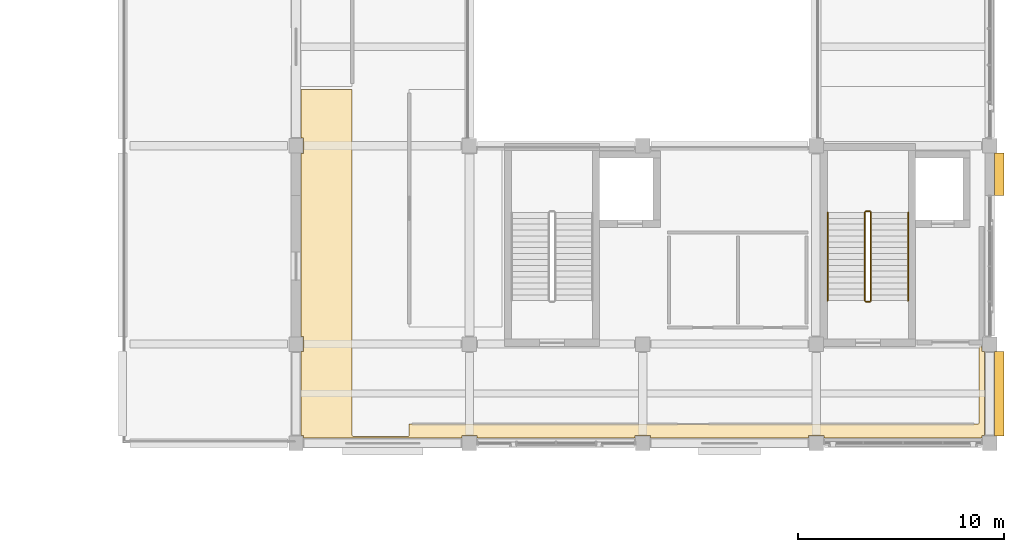
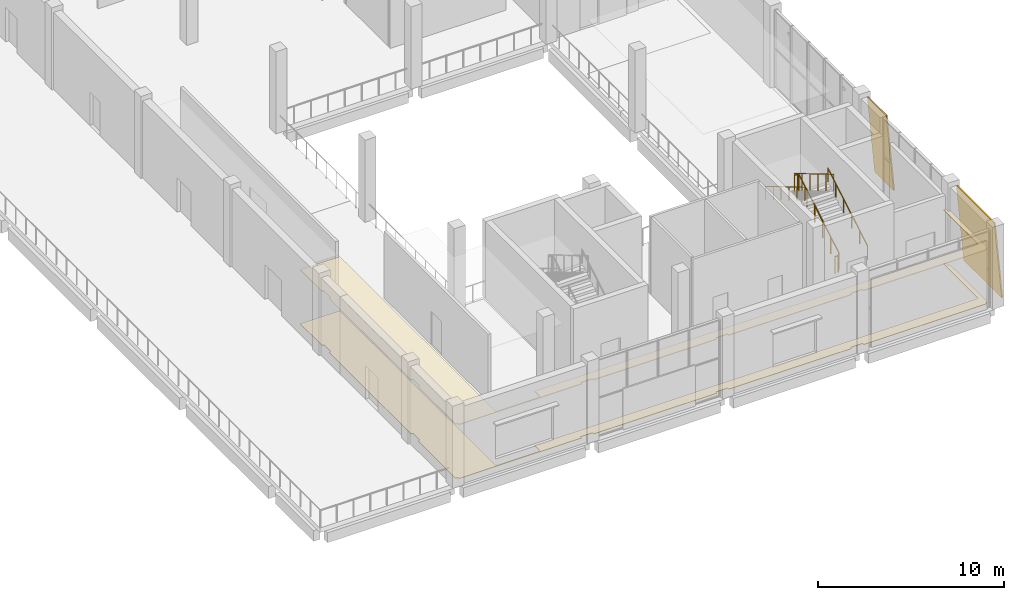
# One storey, part 80 of 83: 6 railings, 4 coverings.
"""IFC4 building model written with IfcOpenShell, lengths in metres."""

from ifc_helpers import new_model, si_unit, direction, frame, origin, origin_2d, place, context, subcontext, project, spatial, polyline, circle, outline, extrude, material, layer, layer_set, type_object, element, save


model = new_model("IFC4")

# Units and contexts
model_context = context("Model", 3, precision=1e-05, world=origin(), true_north=direction((0.0, 1.0)))
body_context = subcontext(model_context, "Body", "Model", "MODEL_VIEW")
ifc_project = project(units=[si_unit("LENGTHUNIT", "METRE"), si_unit("AREAUNIT", "SQUARE_METRE"), si_unit("VOLUMEUNIT", "CUBIC_METRE"), si_unit("PLANEANGLEUNIT", "RADIAN"), si_unit("MASSUNIT", "GRAM", prefix="KILO")], contexts=[model_context])

# Site, building, storey
site_placement = place(None, origin())
site = spatial("IfcSite", under=ifc_project, at=site_placement, CompositionType="ELEMENT")
building_placement = place(site_placement, origin())
building = spatial("IfcBuilding", under=site, at=building_placement, Name="Shalvenor Court Art Gallery", CompositionType="ELEMENT")
storey_placement = place(building_placement, frame((0.0, 0.0, 6.0)))
storey = spatial("IfcBuildingStorey", under=building, at=storey_placement, Name="L01", CompositionType="ELEMENT", Elevation=6.0)

# Coverings
ifc_material_1 = material(Name="Pale Mediterranean limestone cladding", Category="masonry")
ifc_layer_1 = layer(ifc_material_1, 0.080078125, Name="Pale Mediterranean limestone cladding")
ifc_layer_set_1 = layer_set([ifc_layer_1], Name="Pale Mediterranean limestone cladding")
covering_type_1 = type_object("IfcCoveringType", Name="CLD-01", PredefinedType="CLADDING", material=ifc_layer_set_1)
covering_1_placement = place(storey_placement, frame((177.09228515625, 57.60009765625, 0.0), z_axis=(0.0, 0.0, 1.0), x_axis=(0.0, 1.0, 0.0)))
element("IfcCovering", 1, at=covering_1_placement, inside=storey, type_object=covering_type_1, Name="L01 V1 Tapered Limestone Cladding 7", PredefinedType="CLADDING", context=body_context, shape_type="SweptSolid", body=[
    extrude(outline(polyline([(0.0, 0.0), (2.0498046875, 0.0), (2.0498046875, 5.10107421875), (0.0, 5.10107421875), (0.0, 0.0)])), frame((0.0, 0.0, 0.0), z_axis=(0.0, -0.995884398616, 0.090632580198), x_axis=(1.0, 0.0, 0.0)), (0.0, 0.090632580198, -0.995884398616), 0.080322265625),
])
covering_2_placement = place(storey_placement, frame((177.09228515625, 45.949951171875, 0.0), z_axis=(0.0, 0.0, 1.0), x_axis=(0.0, 1.0, 0.0)))
element("IfcCovering", 2, at=covering_2_placement, inside=storey, type_object=covering_type_1, Name="L01 V1 Tapered Limestone Cladding 8", PredefinedType="CLADDING", context=body_context, shape_type="SweptSolid", body=[
    extrude(outline(polyline([(0.0, 0.0), (4.10009765625, 0.0), (4.10009765625, 5.10107421875), (0.0, 5.10107421875), (0.0, 0.0)])), frame((0.0, 0.0, 0.0), z_axis=(0.0, -0.995884398616, 0.090632580198), x_axis=(1.0, 0.0, 0.0)), (0.0, 0.090632580198, -0.995884398616), 0.080322265625),
])
ifc_material_2 = material(Name="Perforated acoustic gypsum gallery ceiling", Category="other")
ifc_layer_2 = layer(ifc_material_2, 0.044921875, Name="Perforated acoustic gypsum gallery ceiling")
ifc_layer_set_2 = layer_set([ifc_layer_2], Name="Perforated acoustic gypsum gallery ceiling")
covering_type_2 = type_object("IfcCoveringType", Name="CLG-01", PredefinedType="CEILING", material=ifc_layer_set_2)
covering_3_placement = place(storey_placement, frame((0.0, 0.0, 3.550048828125)))
element("IfcCovering", 3, at=covering_3_placement, inside=storey, type_object=covering_type_2, Name="L01 Permanent Painting Gallery Acoustic Ceiling", PredefinedType="CEILING", context=body_context, shape_type="SweptSolid", body=[
    extrude(outline(polyline([(145.5205078125, 45.9921875), (145.521484375, 45.984375), (145.5234375, 45.976806640625), (145.526123046875, 45.969482421875), (145.529296875, 45.96240234375), (145.533447265625, 45.95556640625), (145.5380859375, 45.94921875), (145.54345703125, 45.943359375), (145.54931640625, 45.938232421875), (145.5556640625, 45.93359375), (145.562255859375, 45.929443359375), (145.5693359375, 45.926025390625), (145.576904296875, 45.92333984375), (145.58447265625, 45.92138671875), (145.59228515625, 45.92041015625), (145.60009765625, 45.919921875), (148.199951171875, 45.919921875), (148.207763671875, 45.92041015625), (148.215576171875, 45.92138671875), (148.22314453125, 45.92333984375), (148.230712890625, 45.926025390625), (148.23779296875, 45.929443359375), (148.244384765625, 45.93359375), (148.250732421875, 45.938232421875), (148.256591796875, 45.943359375), (148.26171875, 45.94921875), (148.2666015625, 45.95556640625), (148.2705078125, 45.96240234375), (148.27392578125, 45.969482421875), (148.276611328125, 45.976806640625), (148.278564453125, 45.984375), (148.279541015625, 45.9921875), (148.280029296875, 46.0), (148.280029296875, 46.52001953125), (175.800048828125, 46.52001953125), (175.807861328125, 46.5205078125), (175.815673828125, 46.521484375), (175.8232421875, 46.5234375), (175.83056640625, 46.526123046875), (175.837646484375, 46.529296875), (175.844482421875, 46.533447265625), (175.850830078125, 46.5380859375), (175.856689453125, 46.54345703125), (175.86181640625, 46.54931640625), (175.866455078125, 46.5556640625), (175.87060546875, 46.562255859375), (175.873779296875, 46.5693359375), (175.876708984375, 46.576904296875), (175.87841796875, 46.58447265625), (175.879638671875, 46.59228515625), (175.8798828125, 46.60009765625), (175.8798828125, 50.280029296875), (176.0, 50.280029296875), (176.021484375, 50.281005859375), (176.030029296875, 50.2822265625), (176.030029296875, 50.030029296875), (176.14990234375, 50.030029296875), (176.14990234375, 45.969970703125), (176.030029296875, 45.969970703125), (176.030029296875, 45.85009765625), (168.3701171875, 45.85009765625), (168.3701171875, 45.969970703125), (167.6298828125, 45.969970703125), (167.6298828125, 45.85009765625), (159.969970703125, 45.85009765625), (159.969970703125, 45.969970703125), (159.22998046875, 45.969970703125), (159.22998046875, 45.85009765625), (151.570068359375, 45.85009765625), (151.570068359375, 45.969970703125), (150.830078125, 45.969970703125), (150.830078125, 45.85009765625), (143.169921875, 45.85009765625), (143.169921875, 45.969970703125), (143.050048828125, 45.969970703125), (143.050048828125, 50.030029296875), (143.169921875, 50.030029296875), (143.169921875, 50.77001953125), (143.050048828125, 50.77001953125), (143.050048828125, 59.6298828125), (143.169921875, 59.6298828125), (143.169921875, 60.3701171875), (143.050048828125, 60.3701171875), (143.050048828125, 62.719970703125), (145.52001953125, 62.719970703125), (145.52001953125, 46.0), (145.5205078125, 45.9921875)])), origin(), (0.0, 0.0, 1.0), 0.044921875),
])
ifc_material_3 = material(Name="Quarter-sawn white oak gallery flooring", Category="wood")
ifc_layer_3 = layer(ifc_material_3, 0.031982421875, Name="Quarter-sawn white oak gallery flooring")
ifc_layer_set_3 = layer_set([ifc_layer_3], Name="Quarter-sawn white oak gallery flooring")
covering_type_3 = type_object("IfcCoveringType", Name="FLR-02", PredefinedType="FLOORING", material=ifc_layer_set_3)
covering_4_placement = place(storey_placement, origin())
element("IfcCovering", 4, at=covering_4_placement, inside=storey, type_object=covering_type_3, Name="L01 Permanent Painting Gallery Flooring", PredefinedType="FLOORING", context=body_context, shape_type="SweptSolid", body=[
    extrude(outline(polyline([(145.5205078125, 45.9921875), (145.521484375, 45.984375), (145.5234375, 45.976806640625), (145.526123046875, 45.969482421875), (145.529296875, 45.96240234375), (145.533447265625, 45.95556640625), (145.5380859375, 45.94921875), (145.54345703125, 45.943359375), (145.54931640625, 45.938232421875), (145.5556640625, 45.93359375), (145.562255859375, 45.929443359375), (145.5693359375, 45.926025390625), (145.576904296875, 45.92333984375), (145.58447265625, 45.92138671875), (145.59228515625, 45.92041015625), (145.60009765625, 45.919921875), (148.199951171875, 45.919921875), (148.207763671875, 45.92041015625), (148.215576171875, 45.92138671875), (148.22314453125, 45.92333984375), (148.230712890625, 45.926025390625), (148.23779296875, 45.929443359375), (148.244384765625, 45.93359375), (148.250732421875, 45.938232421875), (148.256591796875, 45.943359375), (148.26171875, 45.94921875), (148.2666015625, 45.95556640625), (148.2705078125, 45.96240234375), (148.27392578125, 45.969482421875), (148.276611328125, 45.976806640625), (148.278564453125, 45.984375), (148.279541015625, 45.9921875), (148.280029296875, 46.0), (148.280029296875, 46.52001953125), (175.800048828125, 46.52001953125), (175.807861328125, 46.5205078125), (175.815673828125, 46.521484375), (175.8232421875, 46.5234375), (175.83056640625, 46.526123046875), (175.837646484375, 46.529296875), (175.844482421875, 46.533447265625), (175.850830078125, 46.5380859375), (175.856689453125, 46.54345703125), (175.86181640625, 46.54931640625), (175.866455078125, 46.5556640625), (175.87060546875, 46.562255859375), (175.873779296875, 46.5693359375), (175.876708984375, 46.576904296875), (175.87841796875, 46.58447265625), (175.879638671875, 46.59228515625), (175.8798828125, 46.60009765625), (175.8798828125, 50.280029296875), (176.0, 50.280029296875), (176.021484375, 50.281005859375), (176.030029296875, 50.2822265625), (176.030029296875, 50.030029296875), (176.14990234375, 50.030029296875), (176.14990234375, 45.969970703125), (176.030029296875, 45.969970703125), (176.030029296875, 45.85009765625), (168.3701171875, 45.85009765625), (168.3701171875, 45.969970703125), (167.6298828125, 45.969970703125), (167.6298828125, 45.85009765625), (159.969970703125, 45.85009765625), (159.969970703125, 45.969970703125), (159.22998046875, 45.969970703125), (159.22998046875, 45.85009765625), (151.570068359375, 45.85009765625), (151.570068359375, 45.969970703125), (150.830078125, 45.969970703125), (150.830078125, 45.85009765625), (143.169921875, 45.85009765625), (143.169921875, 45.969970703125), (143.050048828125, 45.969970703125), (143.050048828125, 50.030029296875), (143.169921875, 50.030029296875), (143.169921875, 50.77001953125), (143.050048828125, 50.77001953125), (143.050048828125, 59.6298828125), (143.169921875, 59.6298828125), (143.169921875, 60.3701171875), (143.050048828125, 60.3701171875), (143.050048828125, 62.719970703125), (145.52001953125, 62.719970703125), (145.52001953125, 46.0), (145.5205078125, 45.9921875)])), origin(), (0.0, 0.0, 1.0), 0.031982421875),
])

# Railings
ifc_material_4 = material(Name="Painted steel post-and-rail guard", Category="steel")
railing_type_1 = type_object("IfcRailingType", Name="GR-02", PredefinedType="GUARDRAIL", material=ifc_material_4)
railing_1_placement = place(storey_placement, frame((170.64990234375, 52.5, 0.168701171875)))
element("IfcRailing", 5, at=railing_1_placement, inside=storey, type_object=railing_type_1, Name="L01 ST-02 Stair Guard 1", PredefinedType="GUARDRAIL", context=body_context, shape_type="SweptSolid", body=[
    extrude(circle(Radius=0.02392578125, at=origin_2d()), frame((0.0, 0.0, 1.09619140625), z_axis=(0.0, 0.860470286479, 0.509500624227), x_axis=(-1.0, 0.0, 0.0)), (0.0, 0.0, 1.0), 4.968017578125),
    extrude(circle(Radius=0.02099609375, at=origin_2d()), origin(), (0.0, 0.0, 1.0), 1.072021484375),
    extrude(circle(Radius=0.02099609375, at=origin_2d()), frame((0.0, 0.85498046875, 0.50634765625)), (0.0, 0.0, 1.0), 1.072021484375),
    extrude(circle(Radius=0.02099609375, at=origin_2d()), frame((0.0, 1.7099609375, 1.012451171875)), (0.0, 0.0, 1.0), 1.072021484375),
    extrude(circle(Radius=0.02099609375, at=origin_2d()), frame((0.0, 2.56494140625, 1.518798828125)), (0.0, 0.0, 1.0), 1.072021484375),
    extrude(circle(Radius=0.02099609375, at=origin_2d()), frame((0.0, 3.419921875, 2.02490234375)), (0.0, 0.0, 1.0), 1.072021484375),
    extrude(circle(Radius=0.02099609375, at=origin_2d()), frame((0.0, 4.27490234375, 2.53125)), (0.0, 0.0, 1.0), 1.072021484375),
])
railing_2_placement = place(storey_placement, frame((170.60009765625, 56.824951171875, 2.699951171875)))
element("IfcRailing", 6, at=railing_2_placement, inside=storey, type_object=railing_type_1, Name="L01 ST-02 Stair Guard 2", PredefinedType="GUARDRAIL", context=body_context, shape_type="SweptSolid", body=[
    extrude(circle(Radius=0.02392578125, at=origin_2d()), frame((0.0, 0.0, 1.09619140625), z_axis=(-1.0, 0.0, 0.0), x_axis=(0.0, -1.0, 0.0)), (0.0, 0.0, 1.0), 0.2001953125),
    extrude(circle(Radius=0.02099609375, at=origin_2d()), origin(), (0.0, 0.0, 1.0), 1.072021484375),
    extrude(circle(Radius=0.02099609375, at=origin_2d()), frame((-0.2001953125, 0.0, 0.0)), (0.0, 0.0, 1.0), 1.072021484375),
])
railing_3_placement = place(storey_placement, frame((170.35009765625, 56.77490234375, 2.86865234375)))
element("IfcRailing", 7, at=railing_3_placement, inside=storey, type_object=railing_type_1, Name="L01 ST-02 Stair Guard 3", PredefinedType="GUARDRAIL", context=body_context, shape_type="SweptSolid", body=[
    extrude(circle(Radius=0.02392578125, at=origin_2d()), frame((0.0, 0.0, 1.09619140625), z_axis=(0.0, -0.860470286479, 0.509500624227), x_axis=(1.0, 0.0, 0.0)), (0.0, 0.0, 1.0), 4.968017578125),
    extrude(circle(Radius=0.02099609375, at=origin_2d()), origin(), (0.0, 0.0, 1.0), 1.072021484375),
    extrude(circle(Radius=0.02099609375, at=origin_2d()), frame((0.0, -0.85498046875, 0.50634765625)), (0.0, 0.0, 1.0), 1.072021484375),
    extrude(circle(Radius=0.02099609375, at=origin_2d()), frame((0.0, -1.7099609375, 1.012451171875)), (0.0, 0.0, 1.0), 1.072021484375),
    extrude(circle(Radius=0.02099609375, at=origin_2d()), frame((0.0, -2.56494140625, 1.518798828125)), (0.0, 0.0, 1.0), 1.072021484375),
    extrude(circle(Radius=0.02099609375, at=origin_2d()), frame((0.0, -3.419921875, 2.02490234375)), (0.0, 0.0, 1.0), 1.072021484375),
    extrude(circle(Radius=0.02099609375, at=origin_2d()), frame((0.0, -4.27490234375, 2.53125)), (0.0, 0.0, 1.0), 1.072021484375),
])
railing_4_placement = place(storey_placement, frame((170.60009765625, 52.449951171875, 0.0)))
element("IfcRailing", 8, at=railing_4_placement, inside=storey, type_object=railing_type_1, Name="L01 ST-02 Stair Guard 4", PredefinedType="GUARDRAIL", context=body_context, shape_type="SweptSolid", body=[
    extrude(circle(Radius=0.02392578125, at=origin_2d()), frame((0.0, 0.0, 1.09619140625), z_axis=(-1.0, 0.0, 0.0), x_axis=(0.0, -1.0, 0.0)), (0.0, 0.0, 1.0), 0.2001953125),
    extrude(circle(Radius=0.02099609375, at=origin_2d()), origin(), (0.0, 0.0, 1.0), 1.072021484375),
    extrude(circle(Radius=0.02099609375, at=origin_2d()), frame((-0.2001953125, 0.0, 0.0)), (0.0, 0.0, 1.0), 1.072021484375),
])
ifc_material_5 = material(Name="Brushed stainless steel handrail", Category="steel")
railing_type_2 = type_object("IfcRailingType", Name="HR-01", PredefinedType="HANDRAIL", material=ifc_material_5)
railing_5_placement = place(storey_placement, frame((172.449951171875, 52.5, 0.168701171875)))
element("IfcRailing", 9, at=railing_5_placement, inside=storey, type_object=railing_type_2, Name="L01 ST-02 Stair Handrail 1", PredefinedType="HANDRAIL", context=body_context, shape_type="SweptSolid", body=[
    extrude(circle(Radius=0.02392578125, at=origin_2d()), frame((0.0, 0.0, 0.8759765625), z_axis=(0.0, 0.860470286479, 0.509500624227), x_axis=(-1.0, 0.0, 0.0)), (0.0, 0.0, 1.0), 4.968017578125),
    extrude(circle(Radius=0.02099609375, at=origin_2d()), origin(), (0.0, 0.0, 1.0), 0.851806640625),
    extrude(circle(Radius=0.02099609375, at=origin_2d()), frame((0.0, 0.85498046875, 0.50634765625)), (0.0, 0.0, 1.0), 0.851806640625),
    extrude(circle(Radius=0.02099609375, at=origin_2d()), frame((0.0, 1.7099609375, 1.012451171875)), (0.0, 0.0, 1.0), 0.851806640625),
    extrude(circle(Radius=0.02099609375, at=origin_2d()), frame((0.0, 2.56494140625, 1.518798828125)), (0.0, 0.0, 1.0), 0.851806640625),
    extrude(circle(Radius=0.02099609375, at=origin_2d()), frame((0.0, 3.419921875, 2.02490234375)), (0.0, 0.0, 1.0), 0.851806640625),
    extrude(circle(Radius=0.02099609375, at=origin_2d()), frame((0.0, 4.27490234375, 2.53125)), (0.0, 0.0, 1.0), 0.851806640625),
])
railing_6_placement = place(storey_placement, frame((168.550048828125, 56.77490234375, 2.86865234375)))
element("IfcRailing", 10, at=railing_6_placement, inside=storey, type_object=railing_type_2, Name="L01 ST-02 Stair Handrail 2", PredefinedType="HANDRAIL", context=body_context, shape_type="SweptSolid", body=[
    extrude(circle(Radius=0.02392578125, at=origin_2d()), frame((0.0, 0.0, 0.8759765625), z_axis=(0.0, -0.860470286479, 0.509500624227), x_axis=(1.0, 0.0, 0.0)), (0.0, 0.0, 1.0), 4.968017578125),
    extrude(circle(Radius=0.02099609375, at=origin_2d()), origin(), (0.0, 0.0, 1.0), 0.851806640625),
    extrude(circle(Radius=0.02099609375, at=origin_2d()), frame((0.0, -0.85498046875, 0.50634765625)), (0.0, 0.0, 1.0), 0.851806640625),
    extrude(circle(Radius=0.02099609375, at=origin_2d()), frame((0.0, -1.7099609375, 1.012451171875)), (0.0, 0.0, 1.0), 0.851806640625),
    extrude(circle(Radius=0.02099609375, at=origin_2d()), frame((0.0, -2.56494140625, 1.518798828125)), (0.0, 0.0, 1.0), 0.851806640625),
    extrude(circle(Radius=0.02099609375, at=origin_2d()), frame((0.0, -3.419921875, 2.02490234375)), (0.0, 0.0, 1.0), 0.851806640625),
    extrude(circle(Radius=0.02099609375, at=origin_2d()), frame((0.0, -4.27490234375, 2.53125)), (0.0, 0.0, 1.0), 0.851806640625),
])

save(model, "model.ifc")
